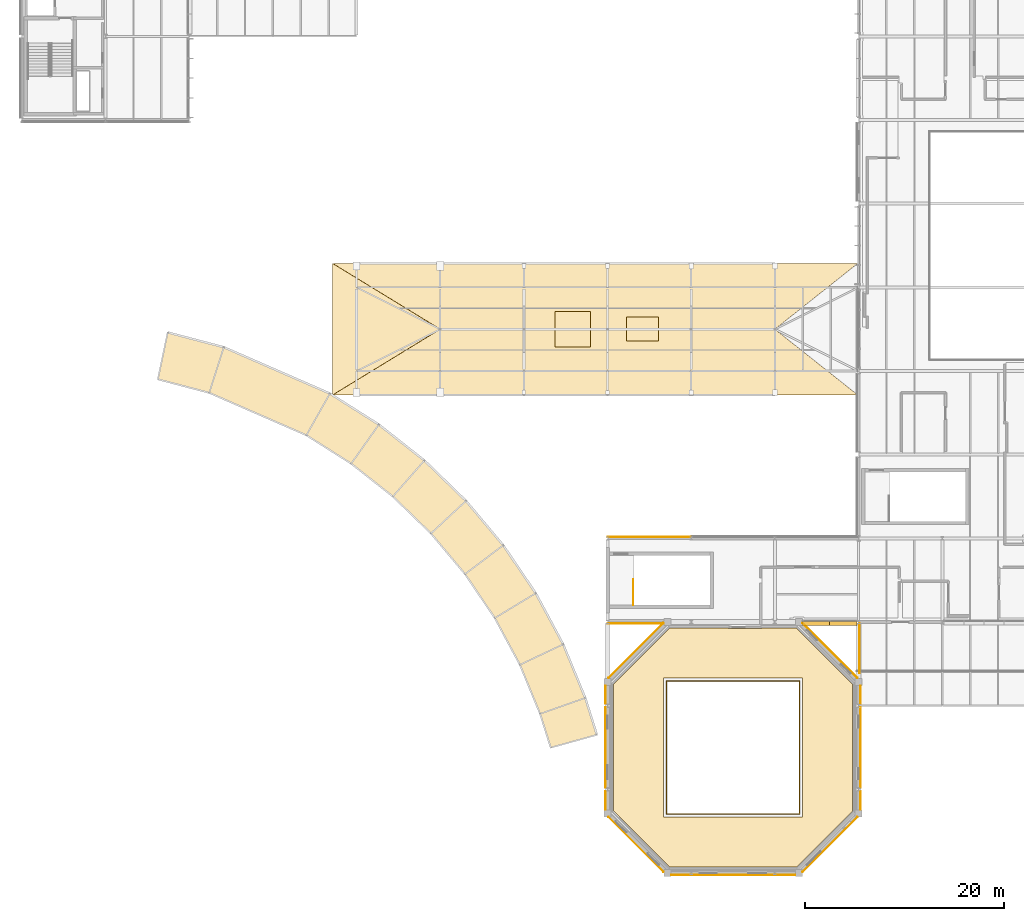
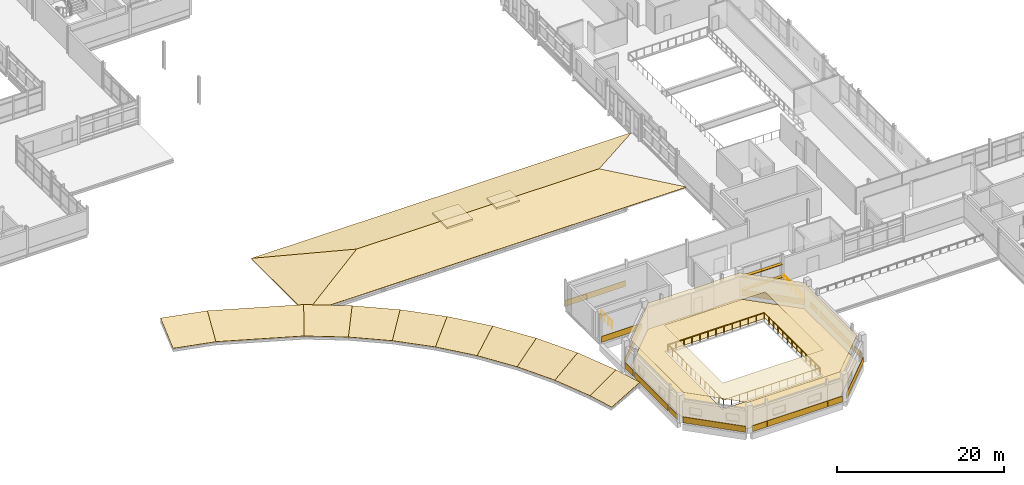
# One storey, part 133 of 151: 32 coverings, 4 shading devices, 3 railings.
"""IFC4 building model written with IfcOpenShell, lengths in metres."""

from ifc_helpers import new_model, si_unit, direction, frame, origin, origin_2d, place, context, subcontext, project, spatial, polyline, rectangle, circle, outline, extrude, material, layer, layer_set, type_object, element, save


model = new_model("IFC4")

# Units and contexts
model_context = context("Model", 3, precision=1e-05, world=origin(), true_north=direction((0.0, 1.0)))
body_context = subcontext(model_context, "Body", "Model", "MODEL_VIEW")
ifc_project = project(units=[si_unit("LENGTHUNIT", "METRE"), si_unit("AREAUNIT", "SQUARE_METRE"), si_unit("VOLUMEUNIT", "CUBIC_METRE"), si_unit("PLANEANGLEUNIT", "RADIAN"), si_unit("MASSUNIT", "GRAM", prefix="KILO")], contexts=[model_context])

# Site, building, storey
site_placement = place(None, origin())
site = spatial("IfcSite", under=ifc_project, at=site_placement, CompositionType="ELEMENT")
building_placement = place(site_placement, origin())
building = spatial("IfcBuilding", under=site, at=building_placement, Name="Mersafa Astral City Hall", CompositionType="ELEMENT")
storey_placement = place(building_placement, frame((0.0, 0.0, 9.89990234375)))
storey = spatial("IfcBuildingStorey", under=building, at=storey_placement, Name="L02", CompositionType="ELEMENT", Elevation=9.89990234375)

# Coverings
ifc_material_1 = material(Name="Cairo Mokattam buff limestone cladding", Category="masonry")
ifc_layer_1 = layer(ifc_material_1, 0.06005859375, Name="Cairo Mokattam buff limestone cladding")
ifc_layer_set_1 = layer_set([ifc_layer_1], Name="Cairo Mokattam buff limestone cladding — ENV-COV-LIMESTONE-60")
covering_type_1 = type_object("IfcCoveringType", Name="ENV-COV-LIMESTONE-60", PredefinedType="CLADDING", material=ifc_layer_set_1)
covering_1_placement = place(storey_placement, frame((70.032958984375, 25.060546875, 0.0), z_axis=(0.0, 0.0, 1.0), x_axis=(1.0, 0.0, 0.0)))
element("IfcCovering", 1, at=covering_1_placement, inside=storey, type_object=covering_type_1, Name="L02 Cairo buff limestone rainscreen cladding 137", PredefinedType="CLADDING", context=body_context, shape_type="SweptSolid", body=[
    extrude(rectangle(XDim=5.590087890625, YDim=0.06005859375, at=origin_2d()), origin(), (0.0, 0.0, 1.0), 0.860107421875),
])
covering_2_placement = place(storey_placement, frame((70.064208984375, 22.335693359375, 0.0), z_axis=(0.0, 0.0, 1.0), x_axis=(-0.707106781187, -0.707106781187, 0.0)))
element("IfcCovering", 2, at=covering_2_placement, inside=storey, type_object=covering_type_1, Name="L02 Cairo buff limestone rainscreen cladding 138", PredefinedType="CLADDING", context=body_context, shape_type="SweptSolid", body=[
    extrude(rectangle(XDim=7.79736328125, YDim=0.06005859375, at=origin_2d()), origin(), (0.0, 0.0, 1.0), 0.860107421875),
])
covering_3_placement = place(storey_placement, frame((67.008056640625, 17.902099609375, 0.0), z_axis=(0.0, 0.0, 1.0), x_axis=(0.0, -1.0, 0.0)))
element("IfcCovering", 3, at=covering_3_placement, inside=storey, type_object=covering_type_1, Name="L02 Cairo buff limestone rainscreen cladding 139", PredefinedType="CLADDING", context=body_context, shape_type="SweptSolid", body=[
    extrude(rectangle(XDim=1.85205078125, YDim=0.06005859375, at=origin_2d()), origin(), (0.0, 0.0, 1.0), 0.860107421875),
])
covering_4_placement = place(storey_placement, frame((67.008056640625, 12.60009765625, 0.0), z_axis=(0.0, 0.0, 1.0), x_axis=(0.0, -1.0, 0.0)))
element("IfcCovering", 4, at=covering_4_placement, inside=storey, type_object=covering_type_1, Name="L02 Cairo buff limestone rainscreen cladding 140", PredefinedType="CLADDING", context=body_context, shape_type="SweptSolid", body=[
    extrude(rectangle(XDim=8.048095703125, YDim=0.06005859375, at=origin_2d()), origin(), (0.0, 0.0, 1.0), 0.860107421875),
])
covering_5_placement = place(storey_placement, frame((67.008056640625, 7.298095703125, 0.0), z_axis=(0.0, 0.0, 1.0), x_axis=(0.0, -1.0, 0.0)))
element("IfcCovering", 5, at=covering_5_placement, inside=storey, type_object=covering_type_1, Name="L02 Cairo buff limestone rainscreen cladding 141", PredefinedType="CLADDING", context=body_context, shape_type="SweptSolid", body=[
    extrude(rectangle(XDim=1.85205078125, YDim=0.06005859375, at=origin_2d()), origin(), (0.0, 0.0, 1.0), 0.860107421875),
])
covering_6_placement = place(storey_placement, frame((70.064208984375, 2.8642578125, 0.0), z_axis=(0.0, 0.0, 1.0), x_axis=(0.707106781187, -0.707106781187, 0.0)))
element("IfcCovering", 6, at=covering_6_placement, inside=storey, type_object=covering_type_1, Name="L02 Cairo buff limestone rainscreen cladding 142", PredefinedType="CLADDING", context=body_context, shape_type="SweptSolid", body=[
    extrude(rectangle(XDim=7.79736328125, YDim=0.06005859375, at=origin_2d()), origin(), (0.0, 0.0, 1.0), 0.860107421875),
])
covering_7_placement = place(storey_placement, frame((74.56689453125, -0.19189453125, 0.0), z_axis=(0.0, 0.0, 1.0), x_axis=(1.0, 0.0, 0.0)))
element("IfcCovering", 7, at=covering_7_placement, inside=storey, type_object=covering_type_1, Name="L02 Cairo buff limestone rainscreen cladding 143", PredefinedType="CLADDING", context=body_context, shape_type="SweptSolid", body=[
    extrude(rectangle(XDim=1.989990234375, YDim=0.06005859375, at=origin_2d()), origin(), (0.0, 0.0, 1.0), 0.860107421875),
])
covering_8_placement = place(storey_placement, frame((79.800048828125, -0.19189453125, 0.0), z_axis=(0.0, 0.0, 1.0), x_axis=(1.0, 0.0, 0.0)))
element("IfcCovering", 8, at=covering_8_placement, inside=storey, type_object=covering_type_1, Name="L02 Cairo buff limestone rainscreen cladding 144", PredefinedType="CLADDING", context=body_context, shape_type="SweptSolid", body=[
    extrude(rectangle(XDim=8.323974609375, YDim=0.06005859375, at=origin_2d()), origin(), (0.0, 0.0, 1.0), 0.860107421875),
])
covering_9_placement = place(storey_placement, frame((85.032958984375, -0.19189453125, 0.0), z_axis=(0.0, 0.0, 1.0), x_axis=(1.0, 0.0, 0.0)))
element("IfcCovering", 9, at=covering_9_placement, inside=storey, type_object=covering_type_1, Name="L02 Cairo buff limestone rainscreen cladding 145", PredefinedType="CLADDING", context=body_context, shape_type="SweptSolid", body=[
    extrude(rectangle(XDim=1.989990234375, YDim=0.06005859375, at=origin_2d()), origin(), (0.0, 0.0, 1.0), 0.860107421875),
])
covering_10_placement = place(storey_placement, frame((89.535888671875, 2.8642578125, 0.0), z_axis=(0.0, 0.0, 1.0), x_axis=(0.707106781187, 0.707106781187, 0.0)))
element("IfcCovering", 10, at=covering_10_placement, inside=storey, type_object=covering_type_1, Name="L02 Cairo buff limestone rainscreen cladding 146", PredefinedType="CLADDING", context=body_context, shape_type="SweptSolid", body=[
    extrude(rectangle(XDim=7.79736328125, YDim=0.06005859375, at=origin_2d()), origin(), (0.0, 0.0, 1.0), 0.860107421875),
])
covering_11_placement = place(storey_placement, frame((92.592041015625, 7.298095703125, 0.0), z_axis=(0.0, 0.0, 1.0), x_axis=(0.0, 1.0, 0.0)))
element("IfcCovering", 11, at=covering_11_placement, inside=storey, type_object=covering_type_1, Name="L02 Cairo buff limestone rainscreen cladding 147", PredefinedType="CLADDING", context=body_context, shape_type="SweptSolid", body=[
    extrude(rectangle(XDim=1.85205078125, YDim=0.06005859375, at=origin_2d()), origin(), (0.0, 0.0, 1.0), 0.860107421875),
])
covering_12_placement = place(storey_placement, frame((92.592041015625, 12.60009765625, 0.0), z_axis=(0.0, 0.0, 1.0), x_axis=(0.0, 1.0, 0.0)))
element("IfcCovering", 12, at=covering_12_placement, inside=storey, type_object=covering_type_1, Name="L02 Cairo buff limestone rainscreen cladding 148", PredefinedType="CLADDING", context=body_context, shape_type="SweptSolid", body=[
    extrude(rectangle(XDim=8.048095703125, YDim=0.06005859375, at=origin_2d()), origin(), (0.0, 0.0, 1.0), 0.860107421875),
])
covering_13_placement = place(storey_placement, frame((92.592041015625, 17.902099609375, 0.0), z_axis=(0.0, 0.0, 1.0), x_axis=(0.0, 1.0, 0.0)))
element("IfcCovering", 13, at=covering_13_placement, inside=storey, type_object=covering_type_1, Name="L02 Cairo buff limestone rainscreen cladding 149", PredefinedType="CLADDING", context=body_context, shape_type="SweptSolid", body=[
    extrude(rectangle(XDim=1.85205078125, YDim=0.06005859375, at=origin_2d()), origin(), (0.0, 0.0, 1.0), 0.860107421875),
])
covering_14_placement = place(storey_placement, frame((89.535888671875, 22.335693359375, 0.0), z_axis=(0.0, 0.0, 1.0), x_axis=(-0.707106781187, 0.707106781187, 0.0)))
element("IfcCovering", 14, at=covering_14_placement, inside=storey, type_object=covering_type_1, Name="L02 Cairo buff limestone rainscreen cladding 150", PredefinedType="CLADDING", context=body_context, shape_type="SweptSolid", body=[
    extrude(rectangle(XDim=7.79736328125, YDim=0.06005859375, at=origin_2d()), origin(), (0.0, 0.0, 1.0), 0.860107421875),
])
covering_15_placement = place(storey_placement, frame((71.39990234375, 33.75439453125, 0.0), z_axis=(0.0, 0.0, 1.0), x_axis=(-1.0, 0.0, 0.0)))
element("IfcCovering", 15, at=covering_15_placement, inside=storey, type_object=covering_type_1, Name="L02 Cairo buff limestone rainscreen cladding 212", PredefinedType="CLADDING", context=body_context, shape_type="SweptSolid", body=[
    extrude(rectangle(XDim=8.323974609375, YDim=0.06005859375, at=origin_2d()), origin(), (0.0, 0.0, 1.0), 0.860107421875),
])
ifc_material_2 = material(Name="Egyptian ceramic terracotta roof tile", Category="masonry")
ifc_layer_2 = layer(ifc_material_2, 0.054931640625, Name="Egyptian ceramic terracotta roof tile")
ifc_layer_set_2 = layer_set([ifc_layer_2], Name="Egyptian ceramic terracotta roof tile — ENV-COV-TERRACOTTA-55")
covering_type_2 = type_object("IfcCoveringType", Name="ENV-COV-TERRACOTTA-55", PredefinedType="ROOFING", material=ifc_layer_set_2)
covering_16_placement = place(storey_placement, frame((22.06298828125, 49.57568359375, 0.052978515625), z_axis=(-0.064329760239, -0.243983326913, 0.967643435433), x_axis=(0.966957260278, -0.254938535307, 3.489625e-06)))
element("IfcCovering", 16, at=covering_16_placement, inside=storey, type_object=covering_type_2, Name="L02 Warm terracotta ceramic roof tile covering 9", PredefinedType="ROOFING", context=body_context, shape_type="SweptSolid", body=[
    extrude(outline(polyline([(0.0, 0.0), (5.327397769474565, -4.440892098500626e-16), (5.573413017418239, 4.953918448377201), (-0.2456117522780223, 4.954072604161171), (0.0, 0.0)])), origin(), (0.0, 0.0, -1.0), 0.054931640625),
])
covering_17_placement = place(storey_placement, frame((27.21435546875, 48.217529296875, 0.052978515625), z_axis=(-0.101314713092, -0.23211289642, 0.967398021616), x_axis=(0.916498175951, -0.40003886496, 5.89333e-07)))
element("IfcCovering", 17, at=covering_17_placement, inside=storey, type_object=covering_type_2, Name="L02 Warm terracotta ceramic roof tile covering 10", PredefinedType="ROOFING", context=body_context, shape_type="SweptSolid", body=[
    extrude(outline(polyline([(0.0, 0.0), (10.640449402040254, 0.0), (11.131768262692962, 4.935596424946522), (-0.49112934381316076, 4.935648231323371), (0.0, 0.0)])), origin(), (0.0, 0.0, -1.0), 0.054931640625),
])
covering_18_placement = place(storey_placement, frame((36.96630859375, 43.9609375, 0.052978515625), z_axis=(-0.135163279388, -0.21306897068, 0.967642755173), x_axis=(0.844421387877, -0.53567949344, -1.978324e-06)))
element("IfcCovering", 18, at=covering_18_placement, inside=storey, type_object=covering_type_2, Name="L02 Warm terracotta ceramic roof tile covering 11", PredefinedType="ROOFING", context=body_context, shape_type="SweptSolid", body=[
    extrude(outline(polyline([(0.0, 0.0), (5.327359885703109, -4.440892098500626e-16), (5.573096568829105, 4.953988005197295), (-0.24571323223509967, 4.953900614687978), (0.0, 0.0)])), origin(), (0.0, 0.0, -1.0), 0.054931640625),
])
covering_19_placement = place(storey_placement, frame((41.46484375, 41.107177734375, 0.052978515625), z_axis=(-0.156252225273, -0.19812286968, 0.96764279081), x_axis=(0.785195647813, -0.619247765158, 1.470553e-06)))
element("IfcCovering", 19, at=covering_19_placement, inside=storey, type_object=covering_type_2, Name="L02 Warm terracotta ceramic roof tile covering 12", PredefinedType="ROOFING", context=body_context, shape_type="SweptSolid", body=[
    extrude(outline(polyline([(0.0, 0.0), (5.327156454296149, 0.0), (5.573191361141424, 4.953914512264492), (-0.24590862971662214, 4.9539794730051545), (0.0, 0.0)])), origin(), (0.0, 0.0, -1.0), 0.054931640625),
])
covering_20_placement = place(storey_placement, frame((45.647705078125, 37.808349609375, 0.052978515625), z_axis=(-0.17570616818, -0.181094741217, 0.967642515171), x_axis=(0.717703957611, -0.696348353361, -1.2989e-08)))
element("IfcCovering", 20, at=covering_20_placement, inside=storey, type_object=covering_type_2, Name="L02 Warm terracotta ceramic roof tile covering 13", PredefinedType="ROOFING", context=body_context, shape_type="SweptSolid", body=[
    extrude(outline(polyline([(0.0, 0.0), (5.327386452508894, -4.440892098500626e-16), (5.573125613506578, 4.9539265265212755), (-0.24580444499864215, 4.953925952726337), (0.0, 0.0)])), origin(), (0.0, 0.0, -1.0), 0.054931640625),
])
covering_21_placement = place(storey_placement, frame((49.47119140625, 34.0986328125, 0.052978515625), z_axis=(-0.193307477512, -0.162170034956, 0.96764306379), x_axis=(0.642701243762, -0.766116904435, -2.324149e-06)))
element("IfcCovering", 21, at=covering_21_placement, inside=storey, type_object=covering_type_2, Name="L02 Warm terracotta ceramic roof tile covering 14", PredefinedType="ROOFING", context=body_context, shape_type="SweptSolid", body=[
    extrude(outline(polyline([(0.0, 0.0), (5.32725061864296, 0.0), (5.573104508106447, 4.954018880342657), (-0.24594701244454722, 4.953916211677877), (0.0, 0.0)])), origin(), (0.0, 0.0, -1.0), 0.054931640625),
])
covering_22_placement = place(storey_placement, frame((52.89501953125, 30.017333984375, 0.052978515625), z_axis=(-0.208881166092, -0.141538475026, 0.967644314063), x_axis=(0.560945857364, -0.827852489941, -2.019515e-06)))
element("IfcCovering", 22, at=covering_22_placement, inside=storey, type_object=covering_type_2, Name="L02 Warm terracotta ceramic roof tile covering 15", PredefinedType="ROOFING", context=body_context, shape_type="SweptSolid", body=[
    extrude(outline(polyline([(0.0, 0.0), (5.327222820418911, 0.0), (5.5730071907458365, 4.954106291464293), (-0.24589017057970197, 4.9540170796847525), (0.0, 0.0)])), origin(), (0.0, 0.0, -1.0), 0.054931640625),
])
covering_23_placement = place(storey_placement, frame((55.88330078125, 25.607177734375, 0.052978515625), z_axis=(-0.222266037228, -0.119422815616, 0.967644562743), x_axis=(0.473306922275, -0.880897586173, 8.10211e-07)))
element("IfcCovering", 23, at=covering_23_placement, inside=storey, type_object=covering_type_2, Name="L02 Warm terracotta ceramic roof tile covering 16", PredefinedType="ROOFING", context=body_context, shape_type="SweptSolid", body=[
    extrude(outline(polyline([(0.0, 0.0), (5.327374827802486, 0.0), (5.573073575587032, 4.954062515288302), (-0.24594524996923192, 4.954098307254749), (0.0, 0.0)])), origin(), (0.0, 0.0, -1.0), 0.054931640625),
])
covering_24_placement = place(storey_placement, frame((58.40478515625, 20.914306640625, 0.052978515625), z_axis=(-0.233328691551, -0.096055063223, 0.96764205496), x_axis=(0.38070201021, -0.924697777316, 7.025791e-06)))
element("IfcCovering", 24, at=covering_24_placement, inside=storey, type_object=covering_type_2, Name="L02 Warm terracotta ceramic roof tile covering 17", PredefinedType="ROOFING", context=body_context, shape_type="SweptSolid", body=[
    extrude(outline(polyline([(0.0, 0.0), (5.327177405203741, 2.220446049250313e-16), (5.573166902847349, 4.953736412868967), (-0.24601597030986627, 4.954046772177657), (0.0, 0.0)])), origin(), (0.0, 0.0, -1.0), 0.054931640625),
])
covering_25_placement = place(storey_placement, frame((60.432861328125, 15.98828125, 0.052978515625), z_axis=(-0.240502565496, -0.075761165637, 0.96768732645), x_axis=(0.300413855836, -0.95380895104, -1.1754713e-05)))
element("IfcCovering", 25, at=covering_25_placement, inside=storey, type_object=covering_type_2, Name="L02 Warm terracotta ceramic roof tile covering 18", PredefinedType="ROOFING", context=body_context, shape_type="SweptSolid", body=[
    extrude(outline(polyline([(0.0, 0.0), (3.5522630826145005, 0.0), (3.7163346647564275, 4.957476909074188), (-0.16393058531303292, 4.957130424345109), (0.0, 0.0)])), origin(), (0.0, 0.0, -1.0), 0.054931640625),
])
covering_26_placement = place(storey_placement, frame((39.60009765625, 48.0, 0.052978515625), z_axis=(0.0, -0.23346953762, 0.972364116473), x_axis=(1.0, 0.0, 0.0)))
element("IfcCovering", 26, at=covering_26_placement, inside=storey, type_object=covering_type_2, Name="L02 Warm terracotta ceramic roof tile covering 23", PredefinedType="ROOFING", context=body_context, shape_type="SweptSolid", body=[
    extrude(outline(polyline([(0.0, 0.0), (52.719970703125, 0.0), (44.39990234375, 6.787681223977339), (10.7998046875, 6.787681223977339), (0.0, 0.0)])), origin(), (0.0, 0.0, -1.0), 0.054931640625),
])
covering_27_placement = place(storey_placement, frame((92.320068359375, 61.199951171875, 0.052978515625), z_axis=(0.0, 0.233477703303, 0.972362155815), x_axis=(-1.0, 0.0, 0.0)))
element("IfcCovering", 27, at=covering_27_placement, inside=storey, type_object=covering_type_2, Name="L02 Warm terracotta ceramic roof tile covering 24", PredefinedType="ROOFING", context=body_context, shape_type="SweptSolid", body=[
    extrude(outline(polyline([(0.0, 0.0), (52.719970703125, 0.0), (41.920166015625, 6.78744383063355), (8.320068359375, 6.78744383063355), (0.0, 0.0)])), origin(), (0.0, 0.0, -1.0), 0.054931640625),
])
covering_28_placement = place(storey_placement, frame((39.60009765625, 61.199951171875, 0.052978515625), z_axis=(-0.145181041409, 0.0, 0.989405106726), x_axis=(0.0, -1.0, 0.0)))
element("IfcCovering", 28, at=covering_28_placement, inside=storey, type_object=covering_type_2, Name="L02 Warm terracotta ceramic roof tile covering 25", PredefinedType="ROOFING", context=body_context, shape_type="SweptSolid", body=[
    extrude(outline(polyline([(0.0, 0.0), (13.199951171875, 0.0), (6.599853515625, 10.915452744364053), (0.0, 0.0)])), origin(), (0.0, 0.0, -1.0), 0.054931640625),
])

# Railings
ifc_material_3 = material(Name="Architectural steel atrium guard balustrade", Category="steel")
railing_type_1 = type_object("IfcRailingType", Name="ENV-RAIL-ATRIUM-1120", PredefinedType="BALUSTRADE", material=ifc_material_3)
railing_1_placement = place(storey_placement, frame((73.1298828125, 5.929931640625, 0.0)))
element("IfcRailing", 29, at=railing_1_placement, inside=storey, type_object=railing_type_1, Name="L02 Multi-storey void guard balustrade VOID-L02-CHAMBER", PredefinedType="BALUSTRADE", context=body_context, shape_type="SweptSolid", body=[
    extrude(circle(Radius=0.02392578125, at=origin_2d()), frame((0.0, 0.0, 1.09619140625), z_axis=(1.0, 0.0, 0.0), x_axis=(0.0, 1.0, 0.0)), (0.0, 0.0, 1.0), 13.340087890625),
    extrude(circle(Radius=0.02392578125, at=origin_2d()), frame((13.340087890625, 0.0, 1.09619140625), z_axis=(0.0, 1.0, 0.0), x_axis=(-1.0, 0.0, 0.0)), (0.0, 0.0, 1.0), 13.340087890625),
    extrude(circle(Radius=0.02392578125, at=origin_2d()), frame((13.340087890625, 13.340087890625, 1.09619140625), z_axis=(-1.0, 0.0, 0.0), x_axis=(0.0, -1.0, 0.0)), (0.0, 0.0, 1.0), 13.340087890625),
    extrude(circle(Radius=0.02392578125, at=origin_2d()), frame((0.0, 13.340087890625, 1.09619140625), z_axis=(0.0, -1.0, 0.0), x_axis=(1.0, 0.0, 0.0)), (0.0, 0.0, 1.0), 13.340087890625),
    extrude(circle(Radius=0.02099609375, at=origin_2d()), origin(), (0.0, 0.0, 1.0), 1.072021484375),
    extrude(circle(Radius=0.02099609375, at=origin_2d()), frame((1.111572265625, 0.0, 0.0)), (0.0, 0.0, 1.0), 1.072021484375),
    extrude(circle(Radius=0.02099609375, at=origin_2d()), frame((2.223388671875, 0.0, 0.0)), (0.0, 0.0, 1.0), 1.072021484375),
    extrude(circle(Radius=0.02099609375, at=origin_2d()), frame((3.3349609375, 0.0, 0.0)), (0.0, 0.0, 1.0), 1.072021484375),
    extrude(circle(Radius=0.02099609375, at=origin_2d()), frame((4.44677734375, 0.0, 0.0)), (0.0, 0.0, 1.0), 1.072021484375),
    extrude(circle(Radius=0.02099609375, at=origin_2d()), frame((5.558349609375, 0.0, 0.0)), (0.0, 0.0, 1.0), 1.072021484375),
    extrude(circle(Radius=0.02099609375, at=origin_2d()), frame((6.669921875, 0.0, 0.0)), (0.0, 0.0, 1.0), 1.072021484375),
    extrude(circle(Radius=0.02099609375, at=origin_2d()), frame((7.78173828125, 0.0, 0.0)), (0.0, 0.0, 1.0), 1.072021484375),
    extrude(circle(Radius=0.02099609375, at=origin_2d()), frame((8.893310546875, 0.0, 0.0)), (0.0, 0.0, 1.0), 1.072021484375),
    extrude(circle(Radius=0.02099609375, at=origin_2d()), frame((10.005126953125, 0.0, 0.0)), (0.0, 0.0, 1.0), 1.072021484375),
    extrude(circle(Radius=0.02099609375, at=origin_2d()), frame((11.11669921875, 0.0, 0.0)), (0.0, 0.0, 1.0), 1.072021484375),
    extrude(circle(Radius=0.02099609375, at=origin_2d()), frame((12.228515625, 0.0, 0.0)), (0.0, 0.0, 1.0), 1.072021484375),
    extrude(circle(Radius=0.02099609375, at=origin_2d()), frame((13.340087890625, 0.0, 0.0)), (0.0, 0.0, 1.0), 1.072021484375),
    extrude(circle(Radius=0.02099609375, at=origin_2d()), frame((13.340087890625, 1.111572265625, 0.0)), (0.0, 0.0, 1.0), 1.072021484375),
    extrude(circle(Radius=0.02099609375, at=origin_2d()), frame((13.340087890625, 2.223388671875, 0.0)), (0.0, 0.0, 1.0), 1.072021484375),
    extrude(circle(Radius=0.02099609375, at=origin_2d()), frame((13.340087890625, 3.3349609375, 0.0)), (0.0, 0.0, 1.0), 1.072021484375),
    extrude(circle(Radius=0.02099609375, at=origin_2d()), frame((13.340087890625, 4.44677734375, 0.0)), (0.0, 0.0, 1.0), 1.072021484375),
    extrude(circle(Radius=0.02099609375, at=origin_2d()), frame((13.340087890625, 5.558349609375, 0.0)), (0.0, 0.0, 1.0), 1.072021484375),
    extrude(circle(Radius=0.02099609375, at=origin_2d()), frame((13.340087890625, 6.669921875, 0.0)), (0.0, 0.0, 1.0), 1.072021484375),
    extrude(circle(Radius=0.02099609375, at=origin_2d()), frame((13.340087890625, 7.78173828125, 0.0)), (0.0, 0.0, 1.0), 1.072021484375),
    extrude(circle(Radius=0.02099609375, at=origin_2d()), frame((13.340087890625, 8.893310546875, 0.0)), (0.0, 0.0, 1.0), 1.072021484375),
    extrude(circle(Radius=0.02099609375, at=origin_2d()), frame((13.340087890625, 10.005126953125, 0.0)), (0.0, 0.0, 1.0), 1.072021484375),
    extrude(circle(Radius=0.02099609375, at=origin_2d()), frame((13.340087890625, 11.11669921875, 0.0)), (0.0, 0.0, 1.0), 1.072021484375),
    extrude(circle(Radius=0.02099609375, at=origin_2d()), frame((13.340087890625, 12.228515625, 0.0)), (0.0, 0.0, 1.0), 1.072021484375),
    extrude(circle(Radius=0.02099609375, at=origin_2d()), frame((13.340087890625, 13.340087890625, 0.0)), (0.0, 0.0, 1.0), 1.072021484375),
    extrude(circle(Radius=0.02099609375, at=origin_2d()), frame((12.228515625, 13.340087890625, 0.0)), (0.0, 0.0, 1.0), 1.072021484375),
    extrude(circle(Radius=0.02099609375, at=origin_2d()), frame((11.11669921875, 13.340087890625, 0.0)), (0.0, 0.0, 1.0), 1.072021484375),
    extrude(circle(Radius=0.02099609375, at=origin_2d()), frame((10.005126953125, 13.340087890625, 0.0)), (0.0, 0.0, 1.0), 1.072021484375),
    extrude(circle(Radius=0.02099609375, at=origin_2d()), frame((8.893310546875, 13.340087890625, 0.0)), (0.0, 0.0, 1.0), 1.072021484375),
    extrude(circle(Radius=0.02099609375, at=origin_2d()), frame((7.78173828125, 13.340087890625, 0.0)), (0.0, 0.0, 1.0), 1.072021484375),
    extrude(circle(Radius=0.02099609375, at=origin_2d()), frame((6.669921875, 13.340087890625, 0.0)), (0.0, 0.0, 1.0), 1.072021484375),
    extrude(circle(Radius=0.02099609375, at=origin_2d()), frame((5.558349609375, 13.340087890625, 0.0)), (0.0, 0.0, 1.0), 1.072021484375),
    extrude(circle(Radius=0.02099609375, at=origin_2d()), frame((4.44677734375, 13.340087890625, 0.0)), (0.0, 0.0, 1.0), 1.072021484375),
    extrude(circle(Radius=0.02099609375, at=origin_2d()), frame((3.3349609375, 13.340087890625, 0.0)), (0.0, 0.0, 1.0), 1.072021484375),
    extrude(circle(Radius=0.02099609375, at=origin_2d()), frame((2.223388671875, 13.340087890625, 0.0)), (0.0, 0.0, 1.0), 1.072021484375),
    extrude(circle(Radius=0.02099609375, at=origin_2d()), frame((1.111572265625, 13.340087890625, 0.0)), (0.0, 0.0, 1.0), 1.072021484375),
    extrude(circle(Radius=0.02099609375, at=origin_2d()), frame((0.0, 13.340087890625, 0.0)), (0.0, 0.0, 1.0), 1.072021484375),
    extrude(circle(Radius=0.02099609375, at=origin_2d()), frame((0.0, 12.228515625, 0.0)), (0.0, 0.0, 1.0), 1.072021484375),
    extrude(circle(Radius=0.02099609375, at=origin_2d()), frame((0.0, 11.11669921875, 0.0)), (0.0, 0.0, 1.0), 1.072021484375),
    extrude(circle(Radius=0.02099609375, at=origin_2d()), frame((0.0, 10.005126953125, 0.0)), (0.0, 0.0, 1.0), 1.072021484375),
    extrude(circle(Radius=0.02099609375, at=origin_2d()), frame((0.0, 8.893310546875, 0.0)), (0.0, 0.0, 1.0), 1.072021484375),
    extrude(circle(Radius=0.02099609375, at=origin_2d()), frame((0.0, 7.78173828125, 0.0)), (0.0, 0.0, 1.0), 1.072021484375),
    extrude(circle(Radius=0.02099609375, at=origin_2d()), frame((0.0, 6.669921875, 0.0)), (0.0, 0.0, 1.0), 1.072021484375),
    extrude(circle(Radius=0.02099609375, at=origin_2d()), frame((0.0, 5.558349609375, 0.0)), (0.0, 0.0, 1.0), 1.072021484375),
    extrude(circle(Radius=0.02099609375, at=origin_2d()), frame((0.0, 4.44677734375, 0.0)), (0.0, 0.0, 1.0), 1.072021484375),
    extrude(circle(Radius=0.02099609375, at=origin_2d()), frame((0.0, 3.3349609375, 0.0)), (0.0, 0.0, 1.0), 1.072021484375),
    extrude(circle(Radius=0.02099609375, at=origin_2d()), frame((0.0, 2.223388671875, 0.0)), (0.0, 0.0, 1.0), 1.072021484375),
    extrude(circle(Radius=0.02099609375, at=origin_2d()), frame((0.0, 1.111572265625, 0.0)), (0.0, 0.0, 1.0), 1.072021484375),
])
ifc_material_4 = material(Name="Anodised bronze steel balustrade with laminated safety infill", Category="steel")
railing_type_2 = type_object("IfcRailingType", Name="ENV-RAIL-TERRACE-1120", PredefinedType="BALUSTRADE", material=ifc_material_4)
railing_2_placement = place(storey_placement, frame((92.469970703125, 25.06005859375, 0.0)))
element("IfcRailing", 30, at=railing_2_placement, inside=storey, type_object=railing_type_2, Name="L02 Terrace perimeter guard balustrade 2", PredefinedType="BALUSTRADE", context=body_context, shape_type="SweptSolid", body=[
    extrude(circle(Radius=0.02392578125, at=origin_2d()), frame((0.0, 0.0, 1.09619140625), z_axis=(0.0, -1.0, 0.0), x_axis=(1.0, 0.0, 0.0)), (0.0, 0.0, 1.0), 5.0),
    extrude(circle(Radius=0.02099609375, at=origin_2d()), origin(), (0.0, 0.0, 1.0), 1.072021484375),
    extrude(circle(Radius=0.02099609375, at=origin_2d()), frame((0.0, -1.0, 0.0)), (0.0, 0.0, 1.0), 1.072021484375),
    extrude(circle(Radius=0.02099609375, at=origin_2d()), frame((0.0, -2.0, 0.0)), (0.0, 0.0, 1.0), 1.072021484375),
    extrude(circle(Radius=0.02099609375, at=origin_2d()), frame((0.0, -3.0, 0.0)), (0.0, 0.0, 1.0), 1.072021484375),
    extrude(circle(Radius=0.02099609375, at=origin_2d()), frame((0.0, -4.0, 0.0)), (0.0, 0.0, 1.0), 1.072021484375),
    extrude(circle(Radius=0.02099609375, at=origin_2d()), frame((0.0, -5.0, 0.0)), (0.0, 0.0, 1.0), 1.072021484375),
])

# Shading devices
ifc_material_5 = material(Name="Kiln-dried cedar timber brise-soleil blade", Category="wood")
shading_device_type = type_object("IfcShadingDeviceType", Name="ENV-SHD-LOUVRE-450", PredefinedType="JALOUSIE", material=ifc_material_5)
for number, where, z_axis, x_axis, name in (
    (31, (88.14599609375, 25.0849609375, 0.81005859375), (0.0, 0.0, 1.0), (1.0, 0.0, 0.0), "L02 Horizontal cedar brise-soleil louvre 662"),
    (32, (90.85400390625, 25.0849609375, 0.81005859375), (0.0, 0.0, 1.0), (1.0, 0.0, 0.0), "L02 Horizontal cedar brise-soleil louvre 663"),
    (33, (88.14599609375, 25.0849609375, 2.7099609375), (0.0, 0.0, 1.0), (1.0, 0.0, 0.0), "L02 Horizontal cedar brise-soleil louvre 664"),
    (34, (90.85400390625, 25.0849609375, 2.7099609375), (0.0, 0.0, 1.0), (1.0, 0.0, 0.0), "L02 Horizontal cedar brise-soleil louvre 665"),
):
    element("IfcShadingDevice", number, at=place(storey_placement, frame(where, z_axis=z_axis, x_axis=x_axis)), inside=storey, type_object=shading_device_type, Name=name, PredefinedType="JALOUSIE", context=body_context, shape_type="SweptSolid", body=[
        extrude(rectangle(XDim=2.748046875, YDim=0.449951171875, at=origin_2d()), origin(), (0.0, 0.0, 1.0), 0.080078125),
    ])

# Coverings
ifc_material_6 = material(Name="Laminated solar control double skylight glazing", Category="glass")
covering_type_3 = type_object("IfcCoveringType", Name="ENV-SKY-SK-02", PredefinedType="MEMBRANE", material=ifc_material_6)
covering_29_placement = place(storey_placement, frame((63.699951171875, 54.60009765625, 1.58447265625), z_axis=(0.0, 0.0, 1.0), x_axis=(1.0, 0.0, 0.0)))
element("IfcCovering", 35, at=covering_29_placement, inside=storey, type_object=covering_type_3, Name="L02 Civic Roof Lantern Skylight 2", PredefinedType="MEMBRANE", context=body_context, shape_type="SweptSolid", body=[
    extrude(rectangle(XDim=3.60009765625, YDim=3.60009765625, at=origin_2d()), origin(), (0.0, 0.0, 1.0), 0.280029296875),
])
covering_type_4 = type_object("IfcCoveringType", Name="ENV-SKY-SK-03", PredefinedType="MEMBRANE", material=ifc_material_6)
covering_30_placement = place(storey_placement, frame((70.699951171875, 54.60009765625, 1.58447265625), z_axis=(0.0, 0.0, 1.0), x_axis=(1.0, 0.0, 0.0)))
element("IfcCovering", 36, at=covering_30_placement, inside=storey, type_object=covering_type_4, Name="L02 Civic Roof Lantern Skylight 3", PredefinedType="MEMBRANE", context=body_context, shape_type="SweptSolid", body=[
    extrude(rectangle(XDim=3.199951171875, YDim=2.39990234375, at=origin_2d()), origin(), (0.0, 0.0, 1.0), 0.280029296875),
])

# Railing
ifc_material_7 = material(Name="Painted architectural steel stair guard balustrade", Category="steel")
railing_type_3 = type_object("IfcRailingType", Name="GUARD-RAIL", PredefinedType="BALUSTRADE", material=ifc_material_7)
railing_3_placement = place(storey_placement, frame((69.780029296875, 26.919921875, 0.0)))
element("IfcRailing", 37, at=railing_3_placement, inside=storey, type_object=railing_type_3, Name="L02 ST7 top well guard 1", PredefinedType="BALUSTRADE", context=body_context, shape_type="SweptSolid", body=[
    extrude(circle(Radius=0.02392578125, at=origin_2d()), frame((0.0, 0.0, 1.09619140625), z_axis=(0.0, 1.0, 0.0), x_axis=(-1.0, 0.0, 0.0)), (0.0, 0.0, 1.0), 2.56005859375),
    extrude(circle(Radius=0.02099609375, at=origin_2d()), origin(), (0.0, 0.0, 1.0), 1.072021484375),
    extrude(circle(Radius=0.02099609375, at=origin_2d()), frame((0.0, 0.853271484375, 0.0)), (0.0, 0.0, 1.0), 1.072021484375),
    extrude(circle(Radius=0.02099609375, at=origin_2d()), frame((0.0, 1.706787109375, 0.0)), (0.0, 0.0, 1.0), 1.072021484375),
    extrude(circle(Radius=0.02099609375, at=origin_2d()), frame((0.0, 2.56005859375, 0.0)), (0.0, 0.0, 1.0), 1.072021484375),
])

# Coverings
ifc_material_8 = material(Name="Slatted cedar timber acoustic baffle ceiling", Category="wood")
ifc_layer_3 = layer(ifc_material_8, 0.034912109375, Name="Slatted cedar timber acoustic baffle ceiling")
ifc_layer_set_3 = layer_set([ifc_layer_3], Name="Slatted cedar timber acoustic baffle ceiling — INT-COV-CEIL-35")
covering_type_5 = type_object("IfcCoveringType", Name="INT-COV-CEIL-35", PredefinedType="CEILING", material=ifc_layer_set_3)
covering_31_placement = place(storey_placement, frame((0.0, 0.0, 3.821044921875)))
element("IfcCovering", 38, at=covering_31_placement, inside=storey, type_object=covering_type_5, Name="L02 Chamber Public Gallery acoustic ceiling", PredefinedType="CEILING", context=body_context, shape_type="SweptSolid", body=[
    extrude(outline(polyline([(73.4443359375, 24.610107421875), (79.280029296875, 24.610107421875), (79.280029296875, 24.530029296875), (82.719970703125, 24.530029296875), (82.719970703125, 24.610107421875), (86.155517578125, 24.610107421875), (91.81005859375, 18.95556640625), (91.81005859375, 6.244384765625), (86.155517578125, 0.590087890625), (73.4443359375, 0.590087890625), (67.7900390625, 6.244384765625), (67.7900390625, 18.95556640625), (73.4443359375, 24.610107421875)]), holes=[polyline([(72.840087890625, 19.56005859375), (72.840087890625, 5.639892578125), (86.760009765625, 5.639892578125), (86.760009765625, 19.56005859375), (72.840087890625, 19.56005859375)])]), origin(), (0.0, 0.0, 1.0), 0.03515625),
])
ifc_material_9 = material(Name="Heavy-duty woven acoustic carpet tile", Category="finish")
ifc_layer_4 = layer(ifc_material_9, 0.014892578125, Name="Heavy-duty woven acoustic carpet tile")
ifc_layer_set_4 = layer_set([ifc_layer_4], Name="Heavy-duty woven acoustic carpet tile — INT-COV-FLR-15")
covering_type_6 = type_object("IfcCoveringType", Name="INT-COV-FLR-15", PredefinedType="FLOORING", material=ifc_layer_set_4)
covering_32_placement = place(storey_placement, frame((0.0, 0.0, -0.00146484375)))
element("IfcCovering", 39, at=covering_32_placement, inside=storey, type_object=covering_type_6, Name="L02 Chamber Public Gallery architectural flooring", PredefinedType="FLOORING", context=body_context, shape_type="SweptSolid", body=[
    extrude(outline(polyline([(73.4443359375, 24.610107421875), (79.280029296875, 24.610107421875), (79.280029296875, 24.530029296875), (82.719970703125, 24.530029296875), (82.719970703125, 24.610107421875), (86.155517578125, 24.610107421875), (91.81005859375, 18.95556640625), (91.81005859375, 6.244384765625), (86.155517578125, 0.590087890625), (73.4443359375, 0.590087890625), (67.7900390625, 6.244384765625), (67.7900390625, 18.95556640625), (73.4443359375, 24.610107421875)]), holes=[polyline([(72.840087890625, 19.56005859375), (72.840087890625, 5.639892578125), (86.760009765625, 5.639892578125), (86.760009765625, 19.56005859375), (72.840087890625, 19.56005859375)])]), origin(), (0.0, 0.0, 1.0), 0.014892578125),
])

save(model, "model.ifc")
